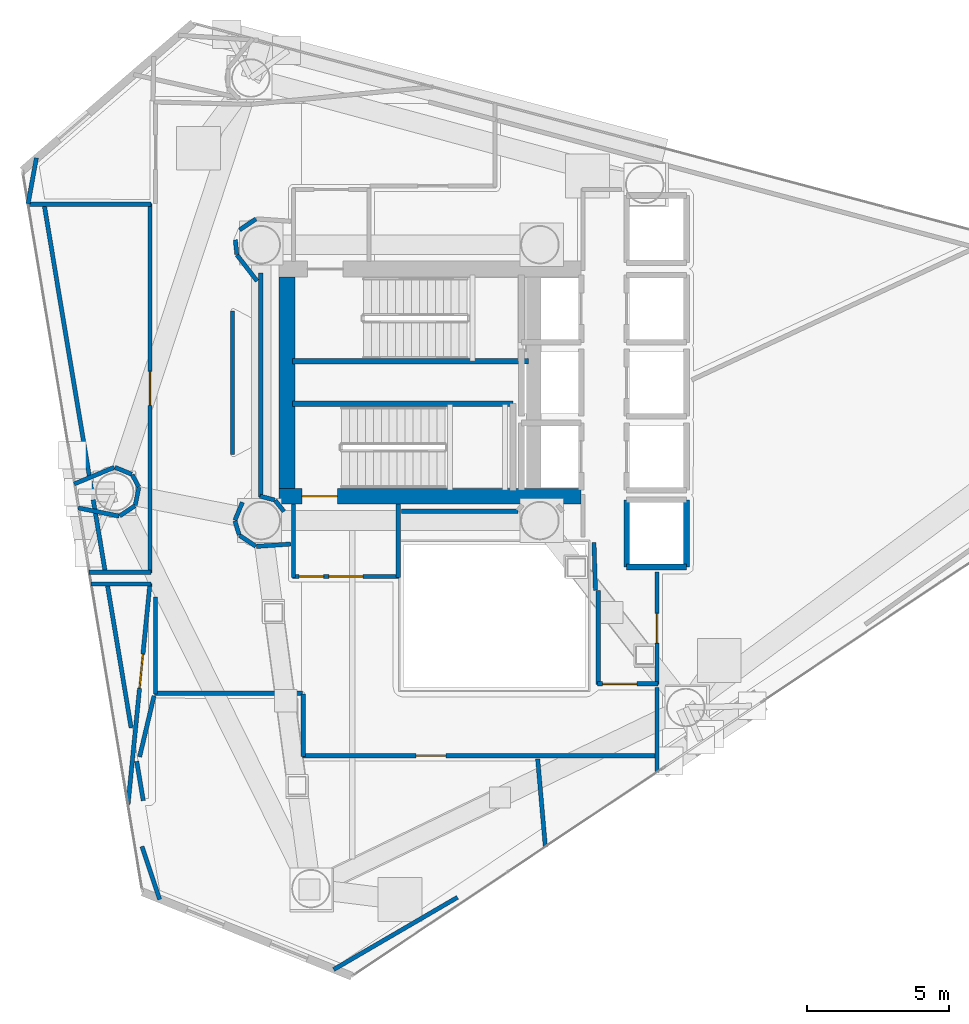
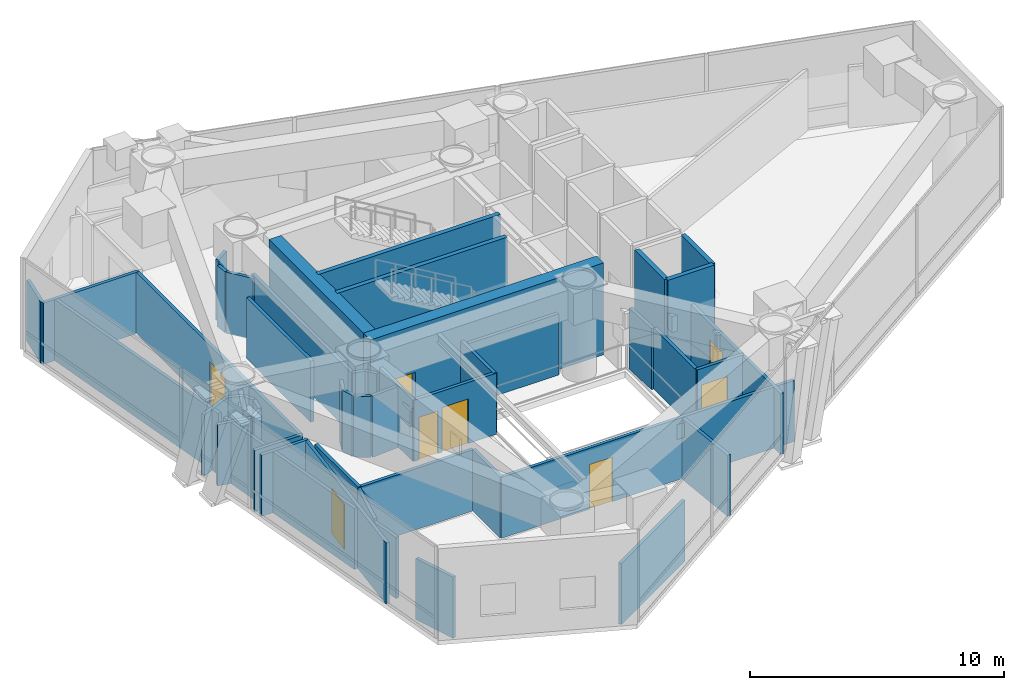
# One storey, part 17 of 22: 51 walls, 8 doors, 8 openings.
"""IFC4 building model written with IfcOpenShell, lengths in metres."""

from ifc_helpers import new_model, si_unit, direction, frame, frame_2d, origin, place, context, subcontext, project, spatial, rectangle, extrude, material, layer, layer_set, type_object, element, fill, save


model = new_model("IFC4")

# Units and contexts
model_context = context("Model", 3, precision=1e-05, world=origin(), true_north=direction((0.0, 1.0)))
body_context = subcontext(model_context, "Body", "Model", "MODEL_VIEW")
ifc_project = project(units=[si_unit("LENGTHUNIT", "METRE"), si_unit("AREAUNIT", "SQUARE_METRE"), si_unit("VOLUMEUNIT", "CUBIC_METRE"), si_unit("PLANEANGLEUNIT", "RADIAN"), si_unit("MASSUNIT", "GRAM", prefix="KILO")], contexts=[model_context])

# Site, building, storey
site_placement = place(None, origin())
site = spatial("IfcSite", under=ifc_project, at=site_placement, CompositionType="ELEMENT")
building_placement = place(site_placement, origin())
building = spatial("IfcBuilding", under=site, at=building_placement, Name="Qianvela Tower", CompositionType="ELEMENT")
storey_placement = place(building_placement, frame((0.0, 0.0, 184.60009765625)))
storey = spatial("IfcBuildingStorey", under=building, at=storey_placement, Name="L47", CompositionType="ELEMENT", Elevation=184.60009765625)

# Wall, opening, door
ifc_material_1 = material(Name="Concrete C60", Category="concrete")
ifc_layer_1 = layer(ifc_material_1, 0.550048828125)
ifc_layer_set_1 = layer_set([ifc_layer_1], Name="Concrete C60")
wall_type_1 = type_object("IfcWallType", Name="WT-CORE-550", PredefinedType="SHEAR", material=ifc_layer_set_1)
wall_1_placement = place(storey_placement, frame((29.22998046875, 24.705078125, 0.0), z_axis=(0.0, 0.0, 1.0), x_axis=(1.0, 0.0, 0.0)))
wall_1 = element("IfcWall", 1, at=wall_1_placement, inside=storey, type_object=wall_type_1, Name="L47 South Core Shear Wall", PredefinedType="SHEAR", context=body_context, shape_type="SweptSolid", body=[
    extrude(rectangle(XDim=10.6201171875, YDim=0.550048828125, at=frame_2d((5.31005859375, 0.0))), origin(), (0.0, 0.0, 1.0), 4.419921875),
])
opening_1_placement = place(wall_1_placement, frame((0.794921875, 0.0, 0.0)))
opening_1 = element("IfcOpeningElement", 2, at=opening_1_placement, cuts=wall_1, Name="Opening D-ST1", PredefinedType="OPENING", context=body_context, shape_type="SweptSolid", body=[
    extrude(rectangle(XDim=1.25, YDim=2.14990234375, at=frame_2d((0.625, 1.074951171875))), frame((0.0, 0.284912109375, 0.0), z_axis=(0.0, -1.0, 0.0), x_axis=(1.0, 0.0, 0.0)), (0.0, 0.0, 1.0), 0.570068359375),
])
ifc_material_2 = material(Name="Galvanised Fire Steel Q355B", Category="steel")
door_type_1 = type_object("IfcDoorType", Name="DT-STAIR-FD90", OperationType="NOTDEFINED", PredefinedType="DOOR", material=ifc_material_2)
door_1_placement = place(opening_1_placement, origin())
door_1 = element("IfcDoor", 3, at=door_1_placement, inside=storey, type_object=door_type_1, Name="L47 Stair ST-2 Exit Door", OperationType="SINGLE_SWING_LEFT", OverallHeight=2.14990234375, OverallWidth=1.25, PredefinedType="DOOR", context=body_context, shape_type="SweptSolid", body=[
    extrude(rectangle(XDim=1.25, YDim=2.14990234375, at=frame_2d((0.625, 1.074951171875))), frame((0.0, 0.02490234375, 0.0), z_axis=(0.0, -1.0, 0.0), x_axis=(1.0, 0.0, 0.0)), (0.0, 0.0, 1.0), 0.050048828125),
])
fill(opening_1, door_1)

# Wall
wall_2_placement = place(storey_placement, frame((29.5048828125, 24.97998046875, 0.0), z_axis=(0.0, 0.0, 1.0), x_axis=(0.0, 1.0, 0.0)))
element("IfcWall", 4, at=wall_2_placement, inside=storey, type_object=wall_type_1, Name="L47 West Core Shear Wall", PredefinedType="SHEAR", context=body_context, shape_type="SweptSolid", body=[
    extrude(rectangle(XDim=7.43994140625, YDim=0.550048828125, at=frame_2d((3.719970703125, 0.0))), origin(), (0.0, 0.0, 1.0), 4.419921875),
])

# Wall, openings, doors
ifc_material_3 = material(Name="Fire-Rated Acoustic Gypsum Board")
ifc_layer_2 = layer(ifc_material_3, 0.14990234375)
ifc_layer_set_2 = layer_set([ifc_layer_2], Name="Fire-Rated Acoustic Gypsum Board")
wall_type_2 = type_object("IfcWallType", Name="WT-CORR-150", PredefinedType="PARTITIONING", material=ifc_layer_set_2)
wall_3_placement = place(storey_placement, frame((33.449951171875, 21.881103515625, 0.0), z_axis=(0.0, 0.0, 1.0), x_axis=(-1.0, 0.0, 0.0)))
wall_3 = element("IfcWall", 5, at=wall_3_placement, inside=storey, type_object=wall_type_2, Name="L47 Partition 5", PredefinedType="PARTITIONING", context=body_context, shape_type="SweptSolid", body=[
    extrude(rectangle(XDim=3.75, YDim=0.14990234375, at=frame_2d((1.875, 0.0))), origin(), (0.0, 0.0, 1.0), 2.93994140625),
])
opening_2_placement = place(wall_3_placement, frame((1.27490234375, 0.0, 0.0)))
opening_2 = element("IfcOpeningElement", 6, at=opening_2_placement, cuts=wall_3, Name="Opening D-LB1", PredefinedType="OPENING", context=body_context, shape_type="SweptSolid", body=[
    extrude(rectangle(XDim=1.199951171875, YDim=2.14990234375, at=frame_2d((0.60009765625, 1.074951171875))), frame((0.0, 0.0849609375, 0.0), z_axis=(0.0, -1.0, 0.0), x_axis=(1.0, 0.0, 0.0)), (0.0, 0.0, 1.0), 0.169921875),
])
opening_3_placement = place(wall_3_placement, frame((2.659912109375, 0.0, 0.0)))
opening_3 = element("IfcOpeningElement", 7, at=opening_3_placement, cuts=wall_3, Name="Opening D-LB2", PredefinedType="OPENING", context=body_context, shape_type="SweptSolid", body=[
    extrude(rectangle(XDim=0.860107421875, YDim=2.050048828125, at=frame_2d((0.43017578125, 1.02490234375))), frame((0.0, 0.0849609375, 0.0), z_axis=(0.0, -1.0, 0.0), x_axis=(1.0, 0.0, 0.0)), (0.0, 0.0, 1.0), 0.169921875),
])
ifc_material_4 = material(Name="Glazed Fire-Rated Steel Frame", Category="steel")
door_type_2 = type_object("IfcDoorType", Name="DT-LOBBY-FD90", OperationType="NOTDEFINED", PredefinedType="DOOR", material=ifc_material_4)
door_2_placement = place(opening_2_placement, origin())
door_2 = element("IfcDoor", 8, at=door_2_placement, inside=storey, type_object=door_type_2, Name="L47 Door L47 Firefighting Lobby South to L47 Mechanical Plant Corridor", OperationType="SINGLE_SWING_RIGHT", OverallHeight=2.14990234375, OverallWidth=1.199951171875, PredefinedType="DOOR", context=body_context, shape_type="SweptSolid", body=[
    extrude(rectangle(XDim=1.199951171875, YDim=2.14990234375, at=frame_2d((0.60009765625, 1.074951171875))), frame((0.0, 0.02490234375, 0.0), z_axis=(0.0, -1.0, 0.0), x_axis=(1.0, 0.0, 0.0)), (0.0, 0.0, 1.0), 0.050048828125),
])
fill(opening_2, door_2)
ifc_material_5 = material(Name="Insulated Steel Fire Door Q355B", Category="steel")
door_type_3 = type_object("IfcDoorType", Name="DT-LOBBY-FD90-860", OperationType="NOTDEFINED", PredefinedType="DOOR", material=ifc_material_5)
door_3_placement = place(opening_3_placement, origin())
door_3 = element("IfcDoor", 9, at=door_3_placement, inside=storey, type_object=door_type_3, Name="L47 Door L47 Firefighting Lobby South to L47 Mechanical Plant Corridor", OperationType="SINGLE_SWING_LEFT", OverallHeight=2.050048828125, OverallWidth=0.860107421875, PredefinedType="DOOR", context=body_context, shape_type="SweptSolid", body=[
    extrude(rectangle(XDim=0.860107421875, YDim=2.050048828125, at=frame_2d((0.43017578125, 1.02490234375))), frame((0.0, 0.02490234375, 0.0), z_axis=(0.0, -1.0, 0.0), x_axis=(1.0, 0.0, 0.0)), (0.0, 0.0, 1.0), 0.050048828125),
])
fill(opening_3, door_3)

# Walls
for number, where, z_axis, x_axis, name in (
    (10, (29.73095703125, 21.85009765625, 0.0), (0.0, 0.0, 1.0), (0.0, 1.0, 0.0), "L47 Partition 6"),
    (11, (33.4189453125, 24.44189453125, 0.0), (0.0, 0.0, 1.0), (0.0, -1.0, 0.0), "L47 Partition 8"),
):
    element("IfcWall", number, at=place(storey_placement, frame(where, z_axis=z_axis, x_axis=x_axis)), inside=storey, type_object=wall_type_2, Name=name, PredefinedType="PARTITIONING", context=body_context, shape_type="SweptSolid", body=[
        extrude(rectangle(XDim=2.591796875, YDim=0.14990234375, at=frame_2d((1.2958984375, 0.0))), origin(), (0.0, 0.0, 1.0), 2.93994140625),
    ])
wall_4_placement = place(storey_placement, frame((40.35107421875, 21.40087890625, 0.0), z_axis=(0.0, 0.0, 1.0), x_axis=(-0.031058045979, 0.999517582527, 0.0)))
element("IfcWall", 12, at=wall_4_placement, inside=storey, type_object=wall_type_2, Name="L47 Partition 9", PredefinedType="PARTITIONING", context=body_context, shape_type="SweptSolid", body=[
    extrude(rectangle(XDim=1.68212890625, YDim=0.14990234375, at=frame_2d((0.841064453125, 0.0))), origin(), (0.0, 0.0, 1.0), 2.93994140625),
])

# Wall, opening, door
wall_5_placement = place(storey_placement, frame((42.51904296875, 22.050048828125, 0.0), z_axis=(0.0, 0.0, 1.0), x_axis=(0.0, -1.0, 0.0)))
wall_5 = element("IfcWall", 13, at=wall_5_placement, inside=storey, type_object=wall_type_2, Name="L47 Partition 17", PredefinedType="PARTITIONING", context=body_context, shape_type="SweptSolid", body=[
    extrude(rectangle(XDim=3.969970703125, YDim=0.14990234375, at=frame_2d((1.98486328125, 0.0))), origin(), (0.0, 0.0, 1.0), 2.93994140625),
])
opening_4_placement = place(wall_5_placement, frame((1.4599609375, 0.0, 0.0)))
opening_4 = element("IfcOpeningElement", 14, at=opening_4_placement, cuts=wall_5, Name="Opening D-PL1", PredefinedType="OPENING", context=body_context, shape_type="SweptSolid", body=[
    extrude(rectangle(XDim=1.050048828125, YDim=2.14990234375, at=frame_2d((0.52490234375, 1.074951171875))), frame((0.0, 0.0849609375, 0.0), z_axis=(0.0, -1.0, 0.0), x_axis=(1.0, 0.0, 0.0)), (0.0, 0.0, 1.0), 0.169921875),
])
ifc_material_6 = material(Name="Insulated Steel Fire Door Q355B", Category="steel")
door_type_4 = type_object("IfcDoorType", Name="DT-PLANT-FD90", OperationType="NOTDEFINED", PredefinedType="DOOR", material=ifc_material_6)
door_4_placement = place(opening_4_placement, origin())
door_4 = element("IfcDoor", 15, at=door_4_placement, inside=storey, type_object=door_type_4, Name="L47 Door L47 Electrical Transformer and Switch Room to L47 Lift Lobby", OperationType="SINGLE_SWING_LEFT", OverallHeight=2.14990234375, OverallWidth=1.050048828125, PredefinedType="DOOR", context=body_context, shape_type="SweptSolid", body=[
    extrude(rectangle(XDim=1.050048828125, YDim=2.14990234375, at=frame_2d((0.52490234375, 1.074951171875))), frame((0.0, 0.02490234375, 0.0), z_axis=(0.0, -1.0, 0.0), x_axis=(1.0, 0.0, 0.0)), (0.0, 0.0, 1.0), 0.050048828125),
])
fill(opening_4, door_4)

wall_6_placement = place(storey_placement, frame((42.550048828125, 18.111083984375, 0.0), z_axis=(0.0, 0.0, 1.0), x_axis=(-1.0, 0.0, 0.0)))
wall_6 = element("IfcWall", 16, at=wall_6_placement, inside=storey, type_object=wall_type_2, Name="L47 Partition 18", PredefinedType="PARTITIONING", context=body_context, shape_type="SweptSolid", body=[
    extrude(rectangle(XDim=2.130126953125, YDim=0.14990234375, at=frame_2d((1.06494140625, 0.0))), origin(), (0.0, 0.0, 1.0), 2.93994140625),
])
opening_5_placement = place(wall_6_placement, frame((0.7451171875, 0.0, 0.0)))
opening_5 = element("IfcOpeningElement", 17, at=opening_5_placement, cuts=wall_6, Name="Opening D-LB1", PredefinedType="OPENING", context=body_context, shape_type="SweptSolid", body=[
    extrude(rectangle(XDim=1.199951171875, YDim=2.14990234375, at=frame_2d((0.60009765625, 1.074951171875))), frame((0.0, 0.0849609375, 0.0), z_axis=(0.0, -1.0, 0.0), x_axis=(1.0, 0.0, 0.0)), (0.0, 0.0, 1.0), 0.169921875),
])
door_5_placement = place(opening_5_placement, origin())
door_5 = element("IfcDoor", 18, at=door_5_placement, inside=storey, type_object=door_type_2, Name="L47 Door L47 Lift Lobby to L47 Mechanical Plant Corridor", OperationType="SINGLE_SWING_LEFT", OverallHeight=2.14990234375, OverallWidth=1.199951171875, PredefinedType="DOOR", context=body_context, shape_type="SweptSolid", body=[
    extrude(rectangle(XDim=1.199951171875, YDim=2.14990234375, at=frame_2d((0.60009765625, 1.074951171875))), frame((0.0, 0.02490234375, 0.0), z_axis=(0.0, -1.0, 0.0), x_axis=(1.0, 0.0, 0.0)), (0.0, 0.0, 1.0), 0.050048828125),
])
fill(opening_5, door_5)

# Walls
wall_7_placement = place(storey_placement, frame((40.450927734375, 18.080078125, 0.0), z_axis=(0.0, 0.0, 1.0), x_axis=(0.0, 1.0, 0.0)))
element("IfcWall", 19, at=wall_7_placement, inside=storey, type_object=wall_type_2, Name="L47 Partition 19 seg 1", PredefinedType="PARTITIONING", context=body_context, shape_type="SweptSolid", body=[
    extrude(rectangle(XDim=3.31982421875, YDim=0.14990234375, at=frame_2d((1.659912109375, 0.0))), origin(), (0.0, 0.0, 1.0), 2.93994140625),
])
wall_8_placement = place(storey_placement, frame((29.401611328125, 24.169189453125, 0.0), z_axis=(0.0, 0.0, 1.0), x_axis=(-0.622091855036, 0.782944266151, 0.0)))
element("IfcWall", 20, at=wall_8_placement, inside=storey, type_object=wall_type_2, Name="L47 Partition 24", PredefinedType="PARTITIONING", context=body_context, shape_type="SweptSolid", body=[
    extrude(rectangle(XDim=0.50390625, YDim=0.14990234375, at=frame_2d((0.251953125, 0.0))), origin(), (0.0, 0.0, 1.0), 2.93994140625),
])
wall_9_placement = place(storey_placement, frame((29.07177734375, 24.57421875, 0.0), z_axis=(0.0, 0.0, 1.0), x_axis=(-0.966842101769, 0.255374920942, 0.0)))
element("IfcWall", 21, at=wall_9_placement, inside=storey, type_object=wall_type_2, Name="L47 Partition 25", PredefinedType="PARTITIONING", context=body_context, shape_type="SweptSolid", body=[
    extrude(rectangle(XDim=0.531494140625, YDim=0.14990234375, at=frame_2d((0.265625, 0.0))), origin(), (0.0, 0.0, 1.0), 2.93994140625),
])
wall_10_placement = place(storey_placement, frame((28.5810546875, 24.68017578125, 0.0), z_axis=(0.0, 0.0, 1.0), x_axis=(0.0, 1.0, 0.0)))
element("IfcWall", 22, at=wall_10_placement, inside=storey, type_object=wall_type_2, Name="L47 Partition 26", PredefinedType="PARTITIONING", context=body_context, shape_type="SweptSolid", body=[
    extrude(rectangle(XDim=7.869873046875, YDim=0.14990234375, at=frame_2d((3.93505859375, 0.0))), origin(), (0.0, 0.0, 1.0), 2.93994140625),
])
wall_11_placement = place(storey_placement, frame((37.62255859375, 24.180908203125, 0.0), z_axis=(0.0, 0.0, 1.0), x_axis=(-1.0, 0.0, 0.0)))
element("IfcWall", 23, at=wall_11_placement, inside=storey, type_object=wall_type_2, Name="L47 Partition 35", PredefinedType="PARTITIONING", context=body_context, shape_type="SweptSolid", body=[
    extrude(rectangle(XDim=4.092529296875, YDim=0.14990234375, at=frame_2d((2.04638671875, 0.0))), origin(), (0.0, 0.0, 1.0), 2.93994140625),
])
wall_12_placement = place(storey_placement, frame((22.163818359375, 24.2958984375, 0.0), z_axis=(0.0, 0.0, 1.0), x_axis=(0.98076583737, -0.195188043304, 0.0)))
element("IfcWall", 24, at=wall_12_placement, inside=storey, type_object=wall_type_2, Name="L47 Partition 37", PredefinedType="PARTITIONING", context=body_context, shape_type="SweptSolid", body=[
    extrude(rectangle(XDim=1.46728515625, YDim=0.14990234375, at=frame_2d((0.733642578125, 0.0))), origin(), (0.0, 0.0, 1.0), 2.93994140625),
])
for number, where, z_axis, x_axis, name in (
    (25, (23.626220703125, 24.014404296875, 0.0), (0.0, 0.0, 1.0), (0.831461972193, 0.555581667081, 0.0), "L47 Partition 38"),
    (26, (24.170654296875, 24.38916015625, 0.0), (0.0, 0.0, 1.0), (0.195234371211, 0.98075661624, 0.0), "L47 Partition 39"),
):
    element("IfcWall", number, at=place(storey_placement, frame(where, z_axis=z_axis, x_axis=x_axis)), inside=storey, type_object=wall_type_2, Name=name, PredefinedType="PARTITIONING", context=body_context, shape_type="SweptSolid", body=[
        extrude(rectangle(XDim=0.638916015625, YDim=0.14990234375, at=frame_2d((0.3193359375, 0.0))), origin(), (0.0, 0.0, 1.0), 2.93994140625),
    ])
wall_13_placement = place(storey_placement, frame((24.292236328125, 25.03662109375, 0.0), z_axis=(0.0, 0.0, 1.0), x_axis=(-0.471424550379, 0.88190639713, 0.0)))
element("IfcWall", 27, at=wall_13_placement, inside=storey, type_object=wall_type_2, Name="L47 Partition 40", PredefinedType="PARTITIONING", context=body_context, shape_type="SweptSolid", body=[
    extrude(rectangle(XDim=0.484619140625, YDim=0.14990234375, at=frame_2d((0.2421875, 0.0))), origin(), (0.0, 0.0, 1.0), 2.93994140625),
])
wall_14_placement = place(storey_placement, frame((24.04833984375, 25.47802734375, 0.0), z_axis=(0.0, 0.0, 1.0), x_axis=(-0.923821221018, 0.382824178437, 0.0)))
element("IfcWall", 28, at=wall_14_placement, inside=storey, type_object=wall_type_2, Name="L47 Partition 41", PredefinedType="PARTITIONING", context=body_context, shape_type="SweptSolid", body=[
    extrude(rectangle(XDim=0.638916015625, YDim=0.14990234375, at=frame_2d((0.3193359375, 0.0))), origin(), (0.0, 0.0, 1.0), 2.93994140625),
])
wall_15_placement = place(storey_placement, frame((23.43408203125, 25.72265625, 0.0), z_axis=(0.0, 0.0, 1.0), x_axis=(-0.923888257307, -0.382662368165, 0.0)))
element("IfcWall", 29, at=wall_15_placement, inside=storey, type_object=wall_type_2, Name="L47 Partition 42", PredefinedType="PARTITIONING", context=body_context, shape_type="SweptSolid", body=[
    extrude(rectangle(XDim=1.52734375, YDim=0.14990234375, at=frame_2d((0.763671875, 0.0))), origin(), (0.0, 0.0, 1.0), 2.93994140625),
])
wall_16_placement = place(storey_placement, frame((22.6435546875, 24.884033203125, 0.0), z_axis=(0.0, 0.0, 1.0), x_axis=(-0.164020823303, 0.986456876667, 0.0)))
element("IfcWall", 30, at=wall_16_placement, inside=storey, type_object=wall_type_2, Name="L47 Partition 44", PredefinedType="PARTITIONING", context=body_context, shape_type="SweptSolid", body=[
    extrude(rectangle(XDim=10.260009765625, YDim=0.14990234375, at=frame_2d((5.1298828125, 0.0))), origin(), (0.0, 0.0, 1.0), 2.93994140625),
])
wall_17_placement = place(storey_placement, frame((20.38818359375, 34.968994140625, 0.0), z_axis=(0.0, 0.0, 1.0), x_axis=(1.0, 0.0, 0.0)))
element("IfcWall", 31, at=wall_17_placement, inside=storey, type_object=wall_type_2, Name="L47 Partition 45", PredefinedType="PARTITIONING", context=body_context, shape_type="SweptSolid", body=[
    extrude(rectangle(XDim=4.331787109375, YDim=0.14990234375, at=frame_2d((2.166015625, 0.0))), origin(), (0.0, 0.0, 1.0), 2.93994140625),
])

# Wall, opening, door
wall_18_placement = place(storey_placement, frame((24.68896484375, 35.0, 0.0), z_axis=(0.0, 0.0, 1.0), x_axis=(0.0, -1.0, 0.0)))
wall_18 = element("IfcWall", 32, at=wall_18_placement, inside=storey, type_object=wall_type_2, Name="L47 Partition 46", PredefinedType="PARTITIONING", context=body_context, shape_type="SweptSolid", body=[
    extrude(rectangle(XDim=13.0, YDim=0.14990234375, at=frame_2d((6.5, 0.0))), origin(), (0.0, 0.0, 1.0), 2.93994140625),
])
opening_6_placement = place(wall_18_placement, frame((5.89990234375, 0.0, 0.0)))
opening_6 = element("IfcOpeningElement", 33, at=opening_6_placement, cuts=wall_18, Name="Opening D-LB1", PredefinedType="OPENING", context=body_context, shape_type="SweptSolid", body=[
    extrude(rectangle(XDim=1.199951171875, YDim=2.14990234375, at=frame_2d((0.60009765625, 1.074951171875))), frame((0.0, 0.0849609375, 0.0), z_axis=(0.0, -1.0, 0.0), x_axis=(1.0, 0.0, 0.0)), (0.0, 0.0, 1.0), 0.169921875),
])
door_6_placement = place(opening_6_placement, origin())
door_6 = element("IfcDoor", 34, at=door_6_placement, inside=storey, type_object=door_type_2, Name="L47 Door L47 Fire Refuge Area North to L47 Mechanical Plant Corridor", OperationType="SINGLE_SWING_RIGHT", OverallHeight=2.14990234375, OverallWidth=1.199951171875, PredefinedType="DOOR", context=body_context, shape_type="SweptSolid", body=[
    extrude(rectangle(XDim=1.199951171875, YDim=2.14990234375, at=frame_2d((0.60009765625, 1.074951171875))), frame((0.0, 0.02490234375, 0.0), z_axis=(0.0, -1.0, 0.0), x_axis=(1.0, 0.0, 0.0)), (0.0, 0.0, 1.0), 0.050048828125),
])
fill(opening_6, door_6)

# Walls
wall_19_placement = place(storey_placement, frame((24.719970703125, 22.031005859375, 0.0), z_axis=(0.0, 0.0, 1.0), x_axis=(-1.0, 0.0, 0.0)))
element("IfcWall", 35, at=wall_19_placement, inside=storey, type_object=wall_type_2, Name="L47 Partition 47", PredefinedType="PARTITIONING", context=body_context, shape_type="SweptSolid", body=[
    extrude(rectangle(XDim=2.1806640625, YDim=0.14990234375, at=frame_2d((1.09033203125, 0.0))), origin(), (0.0, 0.0, 1.0), 2.93994140625),
])
wall_20_placement = place(storey_placement, frame((23.122314453125, 22.005126953125, 0.0), z_axis=(0.0, 0.0, 1.0), x_axis=(-0.164020088394, 0.986456998862, 0.0)))
element("IfcWall", 36, at=wall_20_placement, inside=storey, type_object=wall_type_2, Name="L47 Partition 48", PredefinedType="PARTITIONING", context=body_context, shape_type="SweptSolid", body=[
    extrude(rectangle(XDim=2.6123046875, YDim=0.14990234375, at=frame_2d((1.30615234375, 0.0))), origin(), (0.0, 0.0, 1.0), 2.93994140625),
])
wall_21_placement = place(storey_placement, frame((24.027587890625, 16.560302734375, 0.0), z_axis=(0.0, 0.0, 1.0), x_axis=(-0.16403102715, 0.986455179991, 0.0)))
element("IfcWall", 37, at=wall_21_placement, inside=storey, type_object=wall_type_2, Name="L47 Partition 49", PredefinedType="PARTITIONING", context=body_context, shape_type="SweptSolid", body=[
    extrude(rectangle(XDim=5.164794921875, YDim=0.14990234375, at=frame_2d((2.58251953125, 0.0))), origin(), (0.0, 0.0, 1.0), 2.93994140625),
])
wall_22_placement = place(storey_placement, frame((22.60791015625, 21.618896484375, 0.0), z_axis=(0.0, 0.0, 1.0), x_axis=(1.0, 0.0, 0.0)))
element("IfcWall", 38, at=wall_22_placement, inside=storey, type_object=wall_type_2, Name="L47 Partition 50", PredefinedType="PARTITIONING", context=body_context, shape_type="SweptSolid", body=[
    extrude(rectangle(XDim=2.112060546875, YDim=0.14990234375, at=frame_2d((1.05615234375, 0.0))), origin(), (0.0, 0.0, 1.0), 2.93994140625),
])

# Wall, opening, door
wall_23_placement = place(storey_placement, frame((24.68896484375, 21.64990234375, 0.0), z_axis=(0.0, 0.0, 1.0), x_axis=(-0.098885214939, -0.99509884648, 0.0)))
wall_23 = element("IfcWall", 39, at=wall_23_placement, inside=storey, type_object=wall_type_2, Name="L47 Partition 51", PredefinedType="PARTITIONING", context=body_context, shape_type="SweptSolid", body=[
    extrude(rectangle(XDim=7.816650390625, YDim=0.14990234375, at=frame_2d((3.908203125, 0.0))), origin(), (0.0, 0.0, 1.0), 2.93994140625),
])
opening_7_placement = place(wall_23_placement, frame((2.50927734375, 0.0, 0.0)))
opening_7 = element("IfcOpeningElement", 40, at=opening_7_placement, cuts=wall_23, Name="Opening D-LB1", PredefinedType="OPENING", context=body_context, shape_type="SweptSolid", body=[
    extrude(rectangle(XDim=1.199951171875, YDim=2.14990234375, at=frame_2d((0.60009765625, 1.074951171875))), frame((0.0, 0.0849609375, 0.0), z_axis=(0.0, -1.0, 0.0), x_axis=(1.0, 0.0, 0.0)), (0.0, 0.0, 1.0), 0.169921875),
])
door_7_placement = place(opening_7_placement, origin())
door_7 = element("IfcDoor", 41, at=door_7_placement, inside=storey, type_object=door_type_2, Name="L47 Door L47 Fire Refuge Area South to L47 Mechanical Plant Corridor", OperationType="SINGLE_SWING_RIGHT", OverallHeight=2.14990234375, OverallWidth=1.199951171875, PredefinedType="DOOR", context=body_context, shape_type="SweptSolid", body=[
    extrude(rectangle(XDim=1.199951171875, YDim=2.14990234375, at=frame_2d((0.60009765625, 1.074951171875))), frame((0.0, 0.02490234375, 0.0), z_axis=(0.0, -1.0, 0.0), x_axis=(1.0, 0.0, 0.0)), (0.0, 0.0, 1.0), 0.050048828125),
])
fill(opening_7, door_7)

# Walls
wall_24_placement = place(storey_placement, frame((27.9384765625, 24.49462890625, 0.0), z_axis=(0.0, 0.0, 1.0), x_axis=(-0.382488222826, -0.92396036679, 0.0)))
element("IfcWall", 42, at=wall_24_placement, inside=storey, type_object=wall_type_2, Name="L47 Partition 52", PredefinedType="PARTITIONING", context=body_context, shape_type="SweptSolid", body=[
    extrude(rectangle(XDim=0.684814453125, YDim=0.14990234375, at=frame_2d((0.34228515625, 0.0))), origin(), (0.0, 0.0, 1.0), 2.93994140625),
])
wall_25_placement = place(storey_placement, frame((27.67529296875, 23.841064453125, 0.0), z_axis=(0.0, 0.0, 1.0), x_axis=(0.290320299012, -0.956929529266, 0.0)))
element("IfcWall", 43, at=wall_25_placement, inside=storey, type_object=wall_type_2, Name="L47 Partition 53", PredefinedType="PARTITIONING", context=body_context, shape_type="SweptSolid", body=[
    extrude(rectangle(XDim=0.519775390625, YDim=0.14990234375, at=frame_2d((0.259765625, 0.0))), origin(), (0.0, 0.0, 1.0), 2.93994140625),
])
wall_26_placement = place(storey_placement, frame((27.838623046875, 23.326904296875, 0.0), z_axis=(0.0, 0.0, 1.0), x_axis=(0.831446689096, -0.555604538491, 0.0)))
element("IfcWall", 44, at=wall_26_placement, inside=storey, type_object=wall_type_2, Name="L47 Partition 54", PredefinedType="PARTITIONING", context=body_context, shape_type="SweptSolid", body=[
    extrude(rectangle(XDim=0.68505859375, YDim=0.14990234375, at=frame_2d((0.342529296875, 0.0))), origin(), (0.0, 0.0, 1.0), 2.93994140625),
])
wall_27_placement = place(storey_placement, frame((28.427490234375, 22.94140625, 0.0), z_axis=(0.0, 0.0, 1.0), x_axis=(0.997554628318, 0.069891083281, 0.0)))
element("IfcWall", 45, at=wall_27_placement, inside=storey, type_object=wall_type_2, Name="L47 Partition 55", PredefinedType="PARTITIONING", context=body_context, shape_type="SweptSolid", body=[
    extrude(rectangle(XDim=1.215576171875, YDim=0.14990234375, at=frame_2d((0.60791015625, 0.0))), origin(), (0.0, 0.0, 1.0), 2.93994140625),
])
wall_28_placement = place(storey_placement, frame((42.51904296875, 17.97998046875, 0.0), z_axis=(0.0, 0.0, 1.0), x_axis=(0.0, -1.0, 0.0)))
element("IfcWall", 46, at=wall_28_placement, inside=storey, type_object=wall_type_2, Name="L47 Partition 59 seg 1", PredefinedType="PARTITIONING", context=body_context, shape_type="SweptSolid", body=[
    extrude(rectangle(XDim=2.9873046875, YDim=0.14990234375, at=frame_2d((1.49365234375, 0.0))), origin(), (0.0, 0.0, 1.0), 2.93994140625),
])

# Wall, opening, door
wall_29_placement = place(storey_placement, frame((43.38818359375, 15.5810546875, 0.0), z_axis=(0.0, 0.0, 1.0), x_axis=(-1.0, 0.0, 0.0)))
wall_29 = element("IfcWall", 47, at=wall_29_placement, inside=storey, type_object=wall_type_2, Name="L47 Partition 60", PredefinedType="PARTITIONING", context=body_context, shape_type="SweptSolid", body=[
    extrude(rectangle(XDim=13.338134765625, YDim=0.14990234375, at=frame_2d((6.6689453125, 0.0))), origin(), (0.0, 0.0, 1.0), 2.93994140625),
])
opening_8_placement = place(wall_29_placement, frame((8.292236328125, 0.0, 0.0)))
opening_8 = element("IfcOpeningElement", 48, at=opening_8_placement, cuts=wall_29, Name="Opening D-PL1", PredefinedType="OPENING", context=body_context, shape_type="SweptSolid", body=[
    extrude(rectangle(XDim=1.050048828125, YDim=2.14990234375, at=frame_2d((0.52490234375, 1.074951171875))), frame((0.0, 0.0849609375, 0.0), z_axis=(0.0, -1.0, 0.0), x_axis=(1.0, 0.0, 0.0)), (0.0, 0.0, 1.0), 0.169921875),
])
door_8_placement = place(opening_8_placement, origin())
door_8 = element("IfcDoor", 49, at=door_8_placement, inside=storey, type_object=door_type_4, Name="L47 Door L47 Air Handling and Smoke Exhaust Plant Room to L47 Mechanical Plant Corridor", OperationType="SINGLE_SWING_RIGHT", OverallHeight=2.14990234375, OverallWidth=1.050048828125, PredefinedType="DOOR", context=body_context, shape_type="SweptSolid", body=[
    extrude(rectangle(XDim=1.050048828125, YDim=2.14990234375, at=frame_2d((0.52490234375, 1.074951171875))), frame((0.0, 0.02490234375, 0.0), z_axis=(0.0, -1.0, 0.0), x_axis=(1.0, 0.0, 0.0)), (0.0, 0.0, 1.0), 0.050048828125),
])
fill(opening_8, door_8)

# Walls
wall_30_placement = place(storey_placement, frame((30.0810546875, 15.550048828125, 0.0), z_axis=(0.0, 0.0, 1.0), x_axis=(0.0, 1.0, 0.0)))
element("IfcWall", 50, at=wall_30_placement, inside=storey, type_object=wall_type_2, Name="L47 Partition 61", PredefinedType="PARTITIONING", context=body_context, shape_type="SweptSolid", body=[
    extrude(rectangle(XDim=2.199951171875, YDim=0.14990234375, at=frame_2d((1.10009765625, 0.0))), origin(), (0.0, 0.0, 1.0), 2.93994140625),
])
wall_31_placement = place(storey_placement, frame((30.050048828125, 17.781005859375, 0.0), z_axis=(0.0, 0.0, 1.0), x_axis=(-1.0, 0.0, 0.0)))
element("IfcWall", 51, at=wall_31_placement, inside=storey, type_object=wall_type_2, Name="L47 Partition 62", PredefinedType="PARTITIONING", context=body_context, shape_type="SweptSolid", body=[
    extrude(rectangle(XDim=5.199951171875, YDim=0.14990234375, at=frame_2d((2.60009765625, 0.0))), origin(), (0.0, 0.0, 1.0), 2.93994140625),
])
wall_32_placement = place(storey_placement, frame((24.881103515625, 17.75, 0.0), z_axis=(0.0, 0.0, 1.0), x_axis=(0.0, 1.0, 0.0)))
element("IfcWall", 52, at=wall_32_placement, inside=storey, type_object=wall_type_2, Name="L47 Partition 63 seg 1", PredefinedType="PARTITIONING", context=body_context, shape_type="SweptSolid", body=[
    extrude(rectangle(XDim=3.405029296875, YDim=0.14990234375, at=frame_2d((1.70263671875, 0.0))), origin(), (0.0, 0.0, 1.0), 2.93994140625),
])
wall_33_placement = place(storey_placement, frame((28.408203125, 34.45361328125, 0.0), z_axis=(0.0, 0.0, 1.0), x_axis=(-0.831446689096, -0.555604538491, 0.0)))
element("IfcWall", 53, at=wall_33_placement, inside=storey, type_object=wall_type_2, Name="L47 Partition 71", PredefinedType="PARTITIONING", context=body_context, shape_type="SweptSolid", body=[
    extrude(rectangle(XDim=0.68505859375, YDim=0.14990234375, at=frame_2d((0.342529296875, 0.0))), origin(), (0.0, 0.0, 1.0), 2.93994140625),
])
wall_34_placement = place(storey_placement, frame((27.69140625, 33.7216796875, 0.0), z_axis=(0.0, 0.0, 1.0), x_axis=(0.097735684959, -0.995212407421, 0.0)))
element("IfcWall", 54, at=wall_34_placement, inside=storey, type_object=wall_type_2, Name="L47 Partition 72", PredefinedType="PARTITIONING", context=body_context, shape_type="SweptSolid", body=[
    extrude(rectangle(XDim=0.51953125, YDim=0.14990234375, at=frame_2d((0.259765625, 0.0))), origin(), (0.0, 0.0, 1.0), 2.93994140625),
])
wall_35_placement = place(storey_placement, frame((27.74853515625, 33.188720703125, 0.0), z_axis=(0.0, 0.0, 1.0), x_axis=(0.611219218046, -0.791461349335, 0.0)))
element("IfcWall", 55, at=wall_35_placement, inside=storey, type_object=wall_type_2, Name="L47 Partition 73", PredefinedType="PARTITIONING", context=body_context, shape_type="SweptSolid", body=[
    extrude(rectangle(XDim=1.15673828125, YDim=0.14990234375, at=frame_2d((0.578369140625, 0.0))), origin(), (0.0, 0.0, 1.0), 2.93994140625),
])
wall_36_placement = place(storey_placement, frame((27.589111328125, 31.224609375, 0.0), z_axis=(0.0, 0.0, 1.0), x_axis=(0.0, -1.0, 0.0)))
element("IfcWall", 56, at=wall_36_placement, inside=storey, type_object=wall_type_2, Name="L47 Partition 76", PredefinedType="PARTITIONING", context=body_context, shape_type="SweptSolid", body=[
    extrude(rectangle(XDim=5.049072265625, YDim=0.14990234375, at=frame_2d((2.5244140625, 0.0))), origin(), (0.0, 0.0, 1.0), 2.93994140625),
])
wall_37_placement = place(storey_placement, frame((20.404052734375, 34.993408203125, 0.0), z_axis=(0.0, 0.0, 1.0), x_axis=(0.177939529318, 0.984041423877, 0.0)))
element("IfcWall", 57, at=wall_37_placement, inside=storey, type_object=wall_type_2, Name="L47 Partition 82", PredefinedType="PARTITIONING", context=body_context, shape_type="SweptSolid", body=[
    extrude(rectangle(XDim=1.635498046875, YDim=0.14990234375, at=frame_2d((0.81787109375, 0.0))), origin(), (0.0, 0.0, 1.0), 2.93994140625),
])
wall_38_placement = place(storey_placement, frame((24.322998046875, 15.5400390625, 0.0), z_axis=(0.0, 0.0, 1.0), x_axis=(0.23022929388, 0.973136409883, 0.0)))
element("IfcWall", 58, at=wall_38_placement, inside=storey, type_object=wall_type_2, Name="L47 Partition 90 seg 2", PredefinedType="PARTITIONING", context=body_context, shape_type="SweptSolid", body=[
    extrude(rectangle(XDim=2.206787109375, YDim=0.14990234375, at=frame_2d((1.103515625, 0.0))), origin(), (0.0, 0.0, 1.0), 2.93994140625),
])
wall_39_placement = place(storey_placement, frame((38.320068359375, 15.46728515625, 0.0), z_axis=(0.0, 0.0, 1.0), x_axis=(0.087130014702, -0.996196948669, 0.0)))
element("IfcWall", 59, at=wall_39_placement, inside=storey, type_object=wall_type_2, Name="L47 Partition 94", PredefinedType="PARTITIONING", context=body_context, shape_type="SweptSolid", body=[
    extrude(rectangle(XDim=3.115966796875, YDim=0.14990234375, at=frame_2d((1.55810546875, 0.0))), origin(), (0.0, 0.0, 1.0), 2.93994140625),
])
wall_40_placement = place(storey_placement, frame((35.4990234375, 10.603271484375, 0.0), z_axis=(0.0, 0.0, 1.0), x_axis=(-0.863815813367, -0.50380774168, 0.0)))
element("IfcWall", 60, at=wall_40_placement, inside=storey, type_object=wall_type_2, Name="L47 Partition 95 seg 1", PredefinedType="PARTITIONING", context=body_context, shape_type="SweptSolid", body=[
    extrude(rectangle(XDim=5.037353515625, YDim=0.14990234375, at=frame_2d((2.5185546875, 0.0))), origin(), (0.0, 0.0, 1.0), 2.93994140625),
])
wall_41_placement = place(storey_placement, frame((25.030029296875, 10.52978515625, 0.0), z_axis=(0.0, 0.0, 1.0), x_axis=(-0.317828246783, 0.948148303562, 0.0)))
element("IfcWall", 61, at=wall_41_placement, inside=storey, type_object=wall_type_2, Name="L47 Partition 97 seg 1", PredefinedType="PARTITIONING", context=body_context, shape_type="SweptSolid", body=[
    extrude(rectangle(XDim=1.96728515625, YDim=0.14990234375, at=frame_2d((0.983642578125, 0.0))), origin(), (0.0, 0.0, 1.0), 2.93994140625),
])
wall_42_placement = place(storey_placement, frame((24.452392578125, 14.005126953125, 0.0), z_axis=(0.0, 0.0, 1.0), x_axis=(-0.164088259429, 0.986445661513, 0.0)))
element("IfcWall", 62, at=wall_42_placement, inside=storey, type_object=wall_type_2, Name="L47 Partition 49 trim 1", PredefinedType="PARTITIONING", context=body_context, shape_type="SweptSolid", body=[
    extrude(rectangle(XDim=1.401611328125, YDim=0.14990234375, at=frame_2d((0.70068359375, 0.0))), origin(), (0.0, 0.0, 1.0), 2.93994140625),
])
ifc_material_7 = material(Name="Concrete C50", Category="concrete")
ifc_layer_3 = layer(ifc_material_7, 0.199951171875)
ifc_layer_set_3 = layer_set([ifc_layer_3], Name="Concrete C50")
wall_type_3 = type_object("IfcWallType", Name="WT-SHAFT-200", PredefinedType="SOLIDWALL", material=ifc_layer_set_3)
wall_43_placement = place(storey_placement, frame((29.699951171875, 29.449951171875, 0.0), z_axis=(0.0, 0.0, 1.0), x_axis=(1.0, 0.0, 0.0)))
element("IfcWall", 63, at=wall_43_placement, inside=storey, type_object=wall_type_3, Name="L47 Stair ST-1 South Wall", PredefinedType="SOLIDWALL", context=body_context, shape_type="SweptSolid", body=[
    extrude(rectangle(XDim=8.300048828125, YDim=0.199951171875, at=frame_2d((4.14990234375, 0.0))), origin(), (0.0, 0.0, 1.0), 4.419921875),
])
wall_44_placement = place(storey_placement, frame((29.699951171875, 27.9599609375, 0.0), z_axis=(0.0, 0.0, 1.0), x_axis=(1.0, 0.0, 0.0)))
element("IfcWall", 64, at=wall_44_placement, inside=storey, type_object=wall_type_3, Name="L47 Stair ST-2 North Wall", PredefinedType="SOLIDWALL", context=body_context, shape_type="SweptSolid", body=[
    extrude(rectangle(XDim=7.75, YDim=0.199951171875, at=frame_2d((3.875, 0.0))), origin(), (0.0, 0.0, 1.0), 4.419921875),
])
for number, where, z_axis, x_axis, name in (
    (65, (43.550048828125, 22.219970703125, 0.0), (0.0, 0.0, 1.0), (0.0, 1.0, 0.0), "L47 Lift PL-H2 E Shaft Wall"),
    (66, (41.449951171875, 22.219970703125, 0.0), (0.0, 0.0, 1.0), (0.0, 1.0, 0.0), "L47 Lift PL-H2 W Shaft Wall"),
):
    element("IfcWall", number, at=place(storey_placement, frame(where, z_axis=z_axis, x_axis=x_axis)), inside=storey, type_object=wall_type_3, Name=name, PredefinedType="SOLIDWALL", context=body_context, shape_type="SweptSolid", body=[
        extrude(rectangle(XDim=2.360107421875, YDim=0.199951171875, at=frame_2d((1.18017578125, 0.0))), origin(), (0.0, 0.0, 1.0), 4.419921875),
    ])
wall_45_placement = place(storey_placement, frame((41.449951171875, 22.219970703125, 0.0), z_axis=(0.0, 0.0, 1.0), x_axis=(1.0, 0.0, 0.0)))
element("IfcWall", 67, at=wall_45_placement, inside=storey, type_object=wall_type_3, Name="L47 Lift PL-H2 S Shaft Wall", PredefinedType="SOLIDWALL", context=body_context, shape_type="SweptSolid", body=[
    extrude(rectangle(XDim=2.10009765625, YDim=0.199951171875, at=frame_2d((1.050048828125, 0.0))), origin(), (0.0, 0.0, 1.0), 4.419921875),
])

save(model, "model.ifc")
